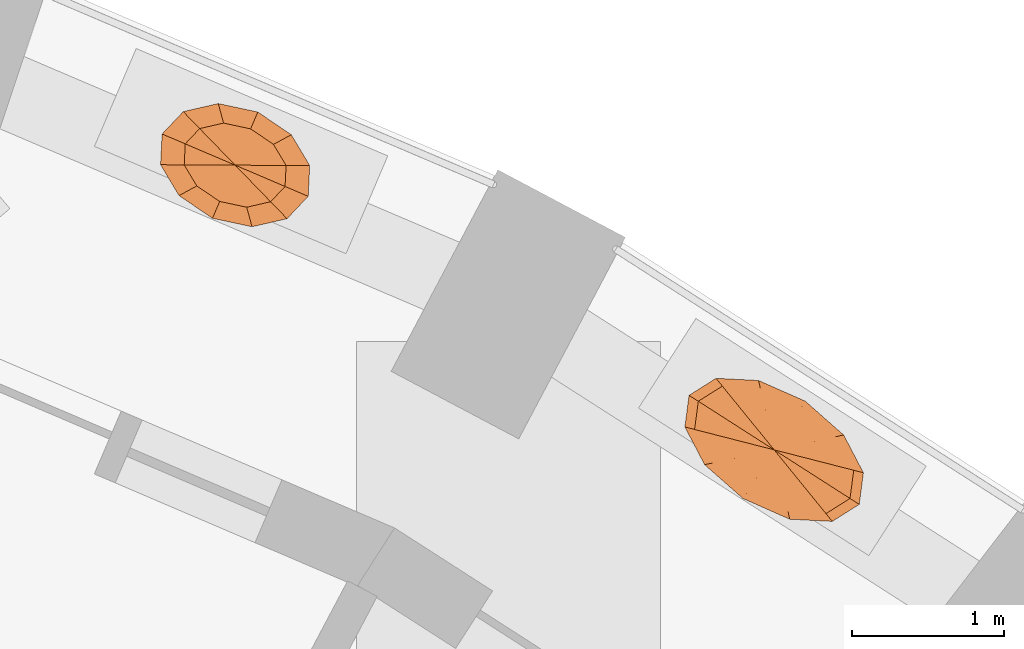
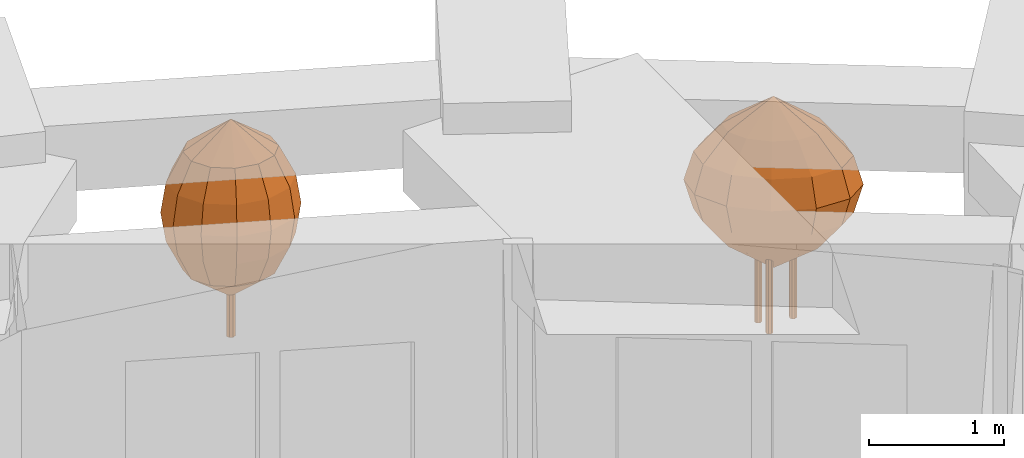
# One storey, part 12 of 12: 2 geographic elements.
"""IFC4 building model written with IfcOpenShell, lengths in metres."""

from ifc_helpers import new_model, si_unit, direction, frame, origin, place, context, subcontext, project, spatial, faceted_brep, material, constituent, constituent_set, type_object, element, save


model = new_model("IFC4")

# Units and contexts
model_context = context("Model", 3, precision=1e-05, world=origin(), true_north=direction((0.0, 1.0)))
body_context = subcontext(model_context, "Body", "Model", "MODEL_VIEW")
ifc_project = project(units=[si_unit("LENGTHUNIT", "METRE"), si_unit("AREAUNIT", "SQUARE_METRE"), si_unit("VOLUMEUNIT", "CUBIC_METRE"), si_unit("PLANEANGLEUNIT", "RADIAN"), si_unit("MASSUNIT", "GRAM", prefix="KILO")], contexts=[model_context])

# Site, building, storey
site_placement = place(None, origin())
site = spatial("IfcSite", under=ifc_project, at=site_placement, CompositionType="ELEMENT")
building_placement = place(site_placement, origin())
building = spatial("IfcBuilding", under=site, at=building_placement, Name="Taillehof Tower", CompositionType="ELEMENT")
storey_placement = place(building_placement, frame((0.0, 0.0, 151.699951171875)))
storey = spatial("IfcBuildingStorey", under=building, at=storey_placement, Name="L42", CompositionType="ELEMENT", Elevation=151.699951171875)

# Geographic elements
ifc_material_1 = material(Name="Tree bark", Category="timber")
ifc_constituent_1 = constituent(ifc_material_1, Name="Trunk", Category="timber")
ifc_material_2 = material(Name="Tree foliage")
ifc_constituent_2 = constituent(ifc_material_2, Name="Crown")
ifc_constituent_set_1 = constituent_set(constituents=[ifc_constituent_1, ifc_constituent_2], Name="Tree TR2 Fastigiate yew")
geographic_element_type_1 = type_object("IfcGeographicElementType", Name="Tree TR2 Fastigiate yew", PredefinedType="USERDEFINED", material=ifc_constituent_set_1)
geographic_element_1_placement = place(storey_placement, frame((10.027587890625, 19.59228515625, 0.75)))
element("IfcGeographicElement", 1, at=geographic_element_1_placement, inside=storey, type_object=geographic_element_type_1, Name="Tree TR2 Fastigiate yew", ObjectType="TREE", PredefinedType="USERDEFINED", context=body_context, shape_type="Brep", body=[
    faceted_brep([(0.034912109375, 0.0, 0.0), (0.024658203125, 0.024658203125, 0.0), (0.024658203125, 0.024658203125, 0.909912109375), (0.034912109375, 0.0, 0.909912109375), (0.0, 0.034912109375, 0.0), (0.0, 0.034912109375, 0.909912109375), (-0.024658203125, 0.024658203125, 0.0), (-0.024658203125, 0.024658203125, 0.909912109375), (-0.034912109375, 0.0, 0.0), (-0.034912109375, 0.0, 0.909912109375), (-0.024658203125, -0.024658203125, 0.0), (-0.024658203125, -0.024658203125, 0.909912109375), (0.0, -0.034912109375, 0.0), (0.0, -0.034912109375, 0.909912109375), (0.024658203125, -0.024658203125, 0.0), (0.024658203125, -0.024658203125, 0.909912109375)], [[[0, 1, 2, 3]], [[1, 4, 5, 2]], [[4, 6, 7, 5]], [[6, 8, 9, 7]], [[8, 10, 11, 9]], [[10, 12, 13, 11]], [[12, 14, 15, 13]], [[14, 0, 3, 15]], [[14, 12, 10, 8, 6, 4, 1, 0]], [[3, 2, 5, 7, 9, 11, 13, 15]]]),
    faceted_brep([(0.0, 0.0, 0.35009765625), (-0.335205078125, 0.001953125, 0.61669921875), (-0.328369140625, 0.14013671875, 0.61669921875), (-0.25244140625, -0.13671875, 0.61669921875), (-0.101806640625, -0.23876953125, 0.61669921875), (0.075927734375, -0.27685546875, 0.61669921875), (0.2333984375, -0.24072265625, 0.61669921875), (0.328369140625, -0.14013671875, 0.61669921875), (0.335205078125, -0.001953125, 0.61669921875), (0.25244140625, 0.13671875, 0.61669921875), (0.101806640625, 0.23876953125, 0.61669921875), (-0.075927734375, 0.27685546875, 0.61669921875), (-0.2333984375, 0.24072265625, 0.61669921875), (-0.453369140625, 0.002685546875, 0.88330078125), (-0.444091796875, 0.189453125, 0.88330078125), (-0.34130859375, -0.18505859375, 0.88330078125), (-0.1376953125, -0.322998046875, 0.88330078125), (0.102783203125, -0.374267578125, 0.88330078125), (0.315673828125, -0.325439453125, 0.88330078125), (0.444091796875, -0.189453125, 0.88330078125), (0.453369140625, -0.002685546875, 0.88330078125), (0.34130859375, 0.18505859375, 0.88330078125), (0.1376953125, 0.322998046875, 0.88330078125), (-0.102783203125, 0.374267578125, 0.88330078125), (-0.315673828125, 0.325439453125, 0.88330078125), (-0.49072265625, 0.002685546875, 1.14990234375), (-0.480712890625, 0.205078125, 1.14990234375), (-0.369384765625, -0.2001953125, 1.14990234375), (-0.149169921875, -0.349609375, 1.14990234375), (0.111083984375, -0.4052734375, 1.14990234375), (0.341552734375, -0.352294921875, 1.14990234375), (0.480712890625, -0.205078125, 1.14990234375), (0.49072265625, -0.002685546875, 1.14990234375), (0.369384765625, 0.2001953125, 1.14990234375), (0.149169921875, 0.349609375, 1.14990234375), (-0.111083984375, 0.4052734375, 1.14990234375), (-0.341552734375, 0.352294921875, 1.14990234375), (-0.453369140625, 0.002685546875, 1.416748046875), (-0.444091796875, 0.189453125, 1.416748046875), (-0.34130859375, -0.18505859375, 1.416748046875), (-0.1376953125, -0.322998046875, 1.416748046875), (0.102783203125, -0.374267578125, 1.416748046875), (0.315673828125, -0.325439453125, 1.416748046875), (0.444091796875, -0.189453125, 1.416748046875), (0.453369140625, -0.002685546875, 1.416748046875), (0.34130859375, 0.18505859375, 1.416748046875), (0.1376953125, 0.322998046875, 1.416748046875), (-0.102783203125, 0.374267578125, 1.416748046875), (-0.315673828125, 0.325439453125, 1.416748046875), (-0.335205078125, 0.001953125, 1.683349609375), (-0.328369140625, 0.14013671875, 1.683349609375), (-0.25244140625, -0.13671875, 1.683349609375), (-0.101806640625, -0.23876953125, 1.683349609375), (0.075927734375, -0.27685546875, 1.683349609375), (0.2333984375, -0.24072265625, 1.683349609375), (0.328369140625, -0.14013671875, 1.683349609375), (0.335205078125, -0.001953125, 1.683349609375), (0.25244140625, 0.13671875, 1.683349609375), (0.101806640625, 0.23876953125, 1.683349609375), (-0.075927734375, 0.27685546875, 1.683349609375), (-0.2333984375, 0.24072265625, 1.683349609375), (0.0, 0.0, 1.949951171875)], [[[0, 1, 2]], [[0, 3, 1]], [[0, 4, 3]], [[0, 5, 4]], [[0, 6, 5]], [[0, 7, 6]], [[0, 8, 7]], [[0, 9, 8]], [[0, 10, 9]], [[0, 11, 10]], [[0, 12, 11]], [[0, 2, 12]], [[2, 1, 13, 14]], [[1, 3, 15, 13]], [[3, 4, 16, 15]], [[4, 5, 17, 16]], [[5, 6, 18, 17]], [[6, 7, 19, 18]], [[7, 8, 20, 19]], [[8, 9, 21, 20]], [[9, 10, 22, 21]], [[10, 11, 23, 22]], [[11, 12, 24, 23]], [[12, 2, 14, 24]], [[14, 13, 25, 26]], [[13, 15, 27, 25]], [[15, 16, 28, 27]], [[16, 17, 29, 28]], [[17, 18, 30, 29]], [[18, 19, 31, 30]], [[19, 20, 32, 31]], [[20, 21, 33, 32]], [[21, 22, 34, 33]], [[22, 23, 35, 34]], [[23, 24, 36, 35]], [[24, 14, 26, 36]], [[26, 25, 37, 38]], [[25, 27, 39, 37]], [[27, 28, 40, 39]], [[28, 29, 41, 40]], [[29, 30, 42, 41]], [[30, 31, 43, 42]], [[31, 32, 44, 43]], [[32, 33, 45, 44]], [[33, 34, 46, 45]], [[34, 35, 47, 46]], [[35, 36, 48, 47]], [[36, 26, 38, 48]], [[38, 37, 49, 50]], [[37, 39, 51, 49]], [[39, 40, 52, 51]], [[40, 41, 53, 52]], [[41, 42, 54, 53]], [[42, 43, 55, 54]], [[43, 44, 56, 55]], [[44, 45, 57, 56]], [[45, 46, 58, 57]], [[46, 47, 59, 58]], [[47, 48, 60, 59]], [[48, 38, 50, 60]], [[50, 49, 61]], [[49, 51, 61]], [[51, 52, 61]], [[52, 53, 61]], [[53, 54, 61]], [[54, 55, 61]], [[55, 56, 61]], [[56, 57, 61]], [[57, 58, 61]], [[58, 59, 61]], [[59, 60, 61]], [[60, 50, 61]]]),
])
ifc_material_3 = material(Name="Tree bark", Category="timber")
ifc_constituent_3 = constituent(ifc_material_3, Name="Trunk", Category="timber")
ifc_material_4 = material(Name="Tree foliage")
ifc_constituent_4 = constituent(ifc_material_4, Name="Crown")
ifc_constituent_set_2 = constituent_set(constituents=[ifc_constituent_3, ifc_constituent_4], Name="Tree TR3 Multi-stem serviceberry")
geographic_element_type_2 = type_object("IfcGeographicElementType", Name="Tree TR3 Multi-stem serviceberry", PredefinedType="USERDEFINED", material=ifc_constituent_set_2)
geographic_element_2_placement = place(storey_placement, frame((13.57421875, 17.718994140625, 0.75)))
element("IfcGeographicElement", 2, at=geographic_element_2_placement, inside=storey, type_object=geographic_element_type_2, Name="Tree TR3 Multi-stem serviceberry", ObjectType="TREE", PredefinedType="USERDEFINED", context=body_context, shape_type="Brep", body=[
    faceted_brep([(0.195068359375, 0.0, 0.0), (0.186767578125, 0.0205078125, 0.0), (0.186767578125, 0.0205078125, 1.04248046875), (0.195068359375, 0.0, 1.04248046875), (0.166259765625, 0.02880859375, 0.0), (0.166259765625, 0.02880859375, 1.04248046875), (0.145751953125, 0.0205078125, 0.0), (0.145751953125, 0.0205078125, 1.04248046875), (0.137451171875, 0.0, 0.0), (0.137451171875, 0.0, 1.04248046875), (0.145751953125, -0.0205078125, 0.0), (0.145751953125, -0.0205078125, 1.04248046875), (0.166259765625, -0.02880859375, 0.0), (0.166259765625, -0.02880859375, 1.04248046875), (0.186767578125, -0.0205078125, 0.0), (0.186767578125, -0.0205078125, 1.04248046875)], [[[0, 1, 2, 3]], [[1, 4, 5, 2]], [[4, 6, 7, 5]], [[6, 8, 9, 7]], [[8, 10, 11, 9]], [[10, 12, 13, 11]], [[12, 14, 15, 13]], [[14, 0, 3, 15]], [[14, 12, 10, 8, 6, 4, 1, 0]], [[3, 2, 5, 7, 9, 11, 13, 15]]]),
    faceted_brep([(-0.05419921875, 0.082275390625, 0.0), (-0.062744140625, 0.102783203125, 0.0), (-0.062744140625, 0.102783203125, 1.04248046875), (-0.05419921875, 0.082275390625, 1.04248046875), (-0.0830078125, 0.111083984375, 0.0), (-0.0830078125, 0.111083984375, 1.04248046875), (-0.103515625, 0.102783203125, 0.0), (-0.103515625, 0.102783203125, 1.04248046875), (-0.112060546875, 0.082275390625, 0.0), (-0.112060546875, 0.082275390625, 1.04248046875), (-0.103515625, 0.061767578125, 0.0), (-0.103515625, 0.061767578125, 1.04248046875), (-0.0830078125, 0.053466796875, 0.0), (-0.0830078125, 0.053466796875, 1.04248046875), (-0.062744140625, 0.061767578125, 0.0), (-0.062744140625, 0.061767578125, 1.04248046875)], [[[0, 1, 2, 3]], [[1, 4, 5, 2]], [[4, 6, 7, 5]], [[6, 8, 9, 7]], [[8, 10, 11, 9]], [[10, 12, 13, 11]], [[12, 14, 15, 13]], [[14, 0, 3, 15]], [[14, 12, 10, 8, 6, 4, 1, 0]], [[3, 2, 5, 7, 9, 11, 13, 15]]]),
    faceted_brep([(-0.05419921875, -0.082275390625, 0.0), (-0.062744140625, -0.061767578125, 0.0), (-0.062744140625, -0.061767578125, 1.04248046875), (-0.05419921875, -0.082275390625, 1.04248046875), (-0.0830078125, -0.053466796875, 0.0), (-0.0830078125, -0.053466796875, 1.04248046875), (-0.103515625, -0.061767578125, 0.0), (-0.103515625, -0.061767578125, 1.04248046875), (-0.112060546875, -0.082275390625, 0.0), (-0.112060546875, -0.082275390625, 1.04248046875), (-0.103515625, -0.102783203125, 0.0), (-0.103515625, -0.102783203125, 1.04248046875), (-0.0830078125, -0.111083984375, 0.0), (-0.0830078125, -0.111083984375, 1.04248046875), (-0.062744140625, -0.102783203125, 0.0), (-0.062744140625, -0.102783203125, 1.04248046875)], [[[0, 1, 2, 3]], [[1, 4, 5, 2]], [[4, 6, 7, 5]], [[6, 8, 9, 7]], [[8, 10, 11, 9]], [[10, 12, 13, 11]], [[12, 14, 15, 13]], [[14, 0, 3, 15]], [[14, 12, 10, 8, 6, 4, 1, 0]], [[3, 2, 5, 7, 9, 11, 13, 15]]]),
    faceted_brep([(0.0, 0.0, 0.5), (-0.33740234375, 0.08642578125, 0.75830078125), (-0.321533203125, 0.2060546875, 0.75830078125), (-0.2626953125, -0.05615234375, 0.75830078125), (-0.11767578125, -0.183837890625, 0.75830078125), (0.058837890625, -0.26220703125, 0.75830078125), (0.2197265625, -0.270263671875, 0.75830078125), (0.321533203125, -0.2060546875, 0.75830078125), (0.33740234375, -0.08642578125, 0.75830078125), (0.2626953125, 0.05615234375, 0.75830078125), (0.11767578125, 0.183837890625, 0.75830078125), (-0.058837890625, 0.26220703125, 0.75830078125), (-0.2197265625, 0.270263671875, 0.75830078125), (-0.523681640625, 0.13427734375, 1.0166015625), (-0.4990234375, 0.31982421875, 1.0166015625), (-0.40771484375, -0.087158203125, 1.0166015625), (-0.1826171875, -0.28515625, 1.0166015625), (0.09130859375, -0.40673828125, 1.0166015625), (0.3408203125, -0.41943359375, 1.0166015625), (0.4990234375, -0.31982421875, 1.0166015625), (0.523681640625, -0.13427734375, 1.0166015625), (0.40771484375, 0.087158203125, 1.0166015625), (0.1826171875, 0.28515625, 1.0166015625), (-0.09130859375, 0.40673828125, 1.0166015625), (-0.3408203125, 0.41943359375, 1.0166015625), (-0.58740234375, 0.150634765625, 1.27490234375), (-0.56005859375, 0.358642578125, 1.27490234375), (-0.45751953125, -0.09765625, 1.27490234375), (-0.205078125, -0.320068359375, 1.27490234375), (0.1025390625, -0.45654296875, 1.27490234375), (0.382568359375, -0.470703125, 1.27490234375), (0.56005859375, -0.358642578125, 1.27490234375), (0.58740234375, -0.150634765625, 1.27490234375), (0.45751953125, 0.09765625, 1.27490234375), (0.205078125, 0.320068359375, 1.27490234375), (-0.1025390625, 0.45654296875, 1.27490234375), (-0.382568359375, 0.470703125, 1.27490234375), (-0.523681640625, 0.13427734375, 1.533447265625), (-0.4990234375, 0.31982421875, 1.533447265625), (-0.40771484375, -0.087158203125, 1.533447265625), (-0.1826171875, -0.28515625, 1.533447265625), (0.09130859375, -0.40673828125, 1.533447265625), (0.3408203125, -0.41943359375, 1.533447265625), (0.4990234375, -0.31982421875, 1.533447265625), (0.523681640625, -0.13427734375, 1.533447265625), (0.40771484375, 0.087158203125, 1.533447265625), (0.1826171875, 0.28515625, 1.533447265625), (-0.09130859375, 0.40673828125, 1.533447265625), (-0.3408203125, 0.41943359375, 1.533447265625), (-0.33740234375, 0.08642578125, 1.791748046875), (-0.321533203125, 0.2060546875, 1.791748046875), (-0.2626953125, -0.05615234375, 1.791748046875), (-0.11767578125, -0.183837890625, 1.791748046875), (0.058837890625, -0.26220703125, 1.791748046875), (0.2197265625, -0.270263671875, 1.791748046875), (0.321533203125, -0.2060546875, 1.791748046875), (0.33740234375, -0.08642578125, 1.791748046875), (0.2626953125, 0.05615234375, 1.791748046875), (0.11767578125, 0.183837890625, 1.791748046875), (-0.058837890625, 0.26220703125, 1.791748046875), (-0.2197265625, 0.270263671875, 1.791748046875), (0.0, 0.0, 2.050048828125)], [[[0, 1, 2]], [[0, 3, 1]], [[0, 4, 3]], [[0, 5, 4]], [[0, 6, 5]], [[0, 7, 6]], [[0, 8, 7]], [[0, 9, 8]], [[0, 10, 9]], [[0, 11, 10]], [[0, 12, 11]], [[0, 2, 12]], [[2, 1, 13, 14]], [[1, 3, 15, 13]], [[3, 4, 16, 15]], [[4, 5, 17, 16]], [[5, 6, 18, 17]], [[6, 7, 19, 18]], [[7, 8, 20, 19]], [[8, 9, 21, 20]], [[9, 10, 22, 21]], [[10, 11, 23, 22]], [[11, 12, 24, 23]], [[12, 2, 14, 24]], [[14, 13, 25, 26]], [[13, 15, 27, 25]], [[15, 16, 28, 27]], [[16, 17, 29, 28]], [[17, 18, 30, 29]], [[18, 19, 31, 30]], [[19, 20, 32, 31]], [[20, 21, 33, 32]], [[21, 22, 34, 33]], [[22, 23, 35, 34]], [[23, 24, 36, 35]], [[24, 14, 26, 36]], [[26, 25, 37, 38]], [[25, 27, 39, 37]], [[27, 28, 40, 39]], [[28, 29, 41, 40]], [[29, 30, 42, 41]], [[30, 31, 43, 42]], [[31, 32, 44, 43]], [[32, 33, 45, 44]], [[33, 34, 46, 45]], [[34, 35, 47, 46]], [[35, 36, 48, 47]], [[36, 26, 38, 48]], [[38, 37, 49, 50]], [[37, 39, 51, 49]], [[39, 40, 52, 51]], [[40, 41, 53, 52]], [[41, 42, 54, 53]], [[42, 43, 55, 54]], [[43, 44, 56, 55]], [[44, 45, 57, 56]], [[45, 46, 58, 57]], [[46, 47, 59, 58]], [[47, 48, 60, 59]], [[48, 38, 50, 60]], [[50, 49, 61]], [[49, 51, 61]], [[51, 52, 61]], [[52, 53, 61]], [[53, 54, 61]], [[54, 55, 61]], [[55, 56, 61]], [[56, 57, 61]], [[57, 58, 61]], [[58, 59, 61]], [[59, 60, 61]], [[60, 50, 61]]]),
])

save(model, "model.ifc")
